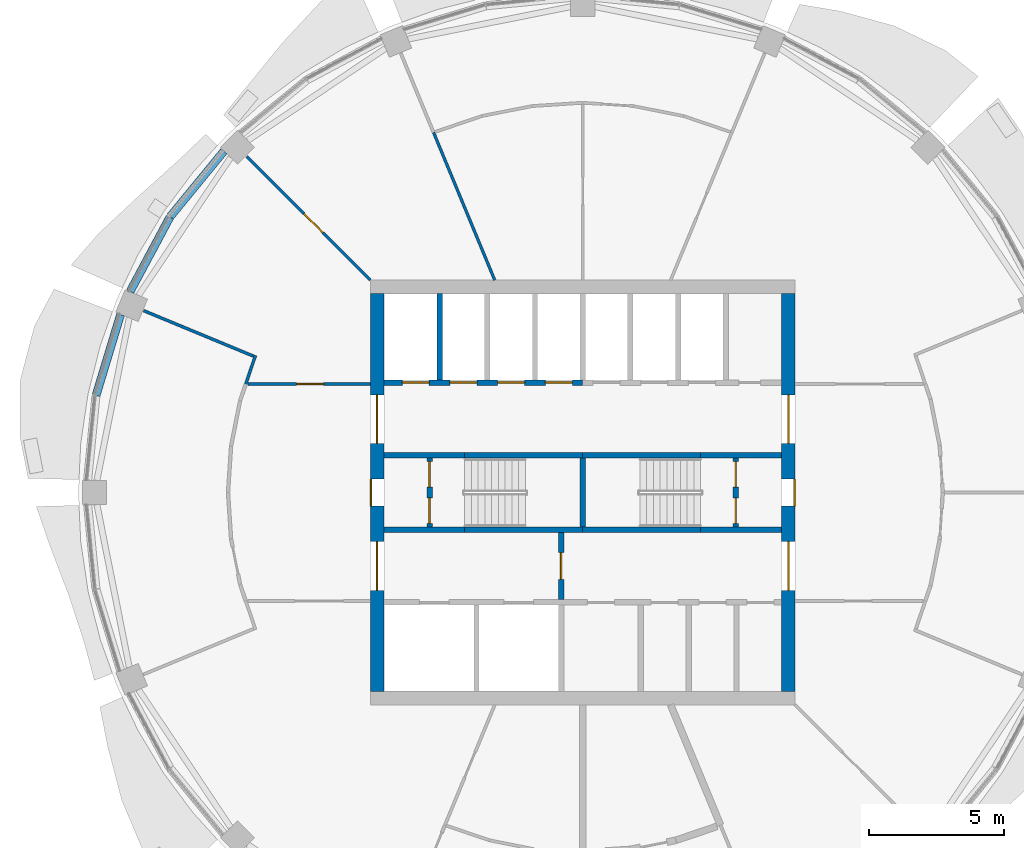
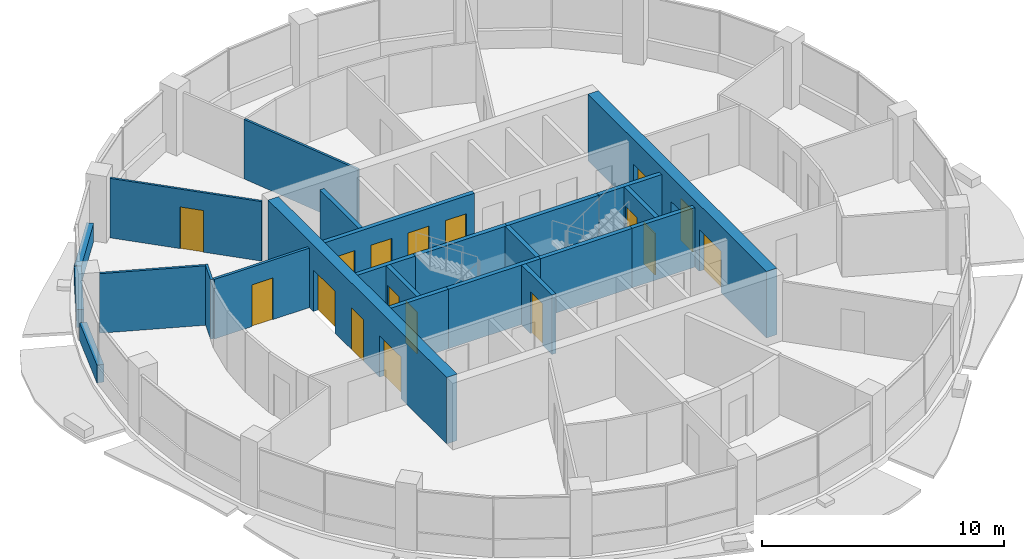
# One storey, part 9 of 15: 24 walls, 17 doors, 17 openings.
"""IFC4 building model written with IfcOpenShell, lengths in metres."""

from ifc_helpers import new_model, si_unit, direction, frame, frame_2d, origin, place, context, subcontext, project, spatial, rectangle, extrude, material, layer, layer_set, type_object, element, fill, save


model = new_model("IFC4")

# Units and contexts
model_context = context("Model", 3, precision=1e-05, world=origin(), true_north=direction((0.0, 1.0)))
body_context = subcontext(model_context, "Body", "Model", "MODEL_VIEW")
ifc_project = project(units=[si_unit("LENGTHUNIT", "METRE"), si_unit("AREAUNIT", "SQUARE_METRE"), si_unit("VOLUMEUNIT", "CUBIC_METRE"), si_unit("PLANEANGLEUNIT", "RADIAN"), si_unit("MASSUNIT", "GRAM", prefix="KILO")], contexts=[model_context])

# Site, building, storey
site_placement = place(None, origin())
site = spatial("IfcSite", under=ifc_project, at=site_placement, CompositionType="ELEMENT")
building_placement = place(site_placement, origin())
building = spatial("IfcBuilding", under=site, at=building_placement, Name="Polderwave Tower", CompositionType="ELEMENT")
storey_placement = place(building_placement, frame((0.0, 0.0, 174.25)))
storey = spatial("IfcBuildingStorey", under=building, at=storey_placement, Name="L46", CompositionType="ELEMENT", Elevation=174.25)

# Wall, openings, doors
ifc_material_1 = material(Name="Concrete C60/75", Category="concrete")
ifc_layer_1 = layer(ifc_material_1, 0.5)
ifc_layer_set_1 = layer_set([ifc_layer_1], Name="CORE WALL 500 C60/75")
wall_type_1 = type_object("IfcWallType", Name="CORE WALL 500 C60/75", PredefinedType="SHEAR", material=ifc_layer_set_1)
wall_1_placement = place(storey_placement, frame((-7.6240234375, -7.3740234375, 0.0), z_axis=(0.0, 0.0, 1.0), x_axis=(0.0, 1.0, 0.0)))
wall_1 = element("IfcWall", 1, at=wall_1_placement, inside=storey, type_object=wall_type_1, Name="ST-CORE-L46-W", PredefinedType="SHEAR", context=body_context, shape_type="SweptSolid", body=[
    extrude(rectangle(XDim=14.748046875, YDim=0.5, at=frame_2d((7.3740234375, 0.0))), origin(), (0.0, 0.0, 1.0), 3.35009765625),
])
opening_1_placement = place(wall_1_placement, frame((6.8740234375, 0.0, 0.0)))
opening_1 = element("IfcOpeningElement", 2, at=opening_1_placement, cuts=wall_1, Name="Opening L46-D20", PredefinedType="OPENING", context=body_context, shape_type="SweptSolid", body=[
    extrude(rectangle(XDim=1.0, YDim=2.10009765625, at=frame_2d((0.5, 1.050048828125))), frame((0.0, 0.260009765625, 0.0), z_axis=(0.0, -1.0, 0.0), x_axis=(1.0, 0.0, 0.0)), (0.0, 0.0, 1.0), 0.52001953125),
])
opening_2_placement = place(wall_1_placement, frame((3.74951171875, 0.0, 0.0)))
opening_2 = element("IfcOpeningElement", 3, at=opening_2_placement, cuts=wall_1, Name="Opening L46-D21", PredefinedType="OPENING", context=body_context, shape_type="SweptSolid", body=[
    extrude(rectangle(XDim=1.800048828125, YDim=2.10009765625, at=frame_2d((0.89990234375, 1.050048828125))), frame((0.0, 0.260009765625, 0.0), z_axis=(0.0, -1.0, 0.0), x_axis=(1.0, 0.0, 0.0)), (0.0, 0.0, 1.0), 0.52001953125),
])
opening_3_placement = place(wall_1_placement, frame((9.198486328125, 0.0, 0.0)))
opening_3 = element("IfcOpeningElement", 4, at=opening_3_placement, cuts=wall_1, Name="Opening L46-D22", PredefinedType="OPENING", context=body_context, shape_type="SweptSolid", body=[
    extrude(rectangle(XDim=1.800048828125, YDim=2.10009765625, at=frame_2d((0.89990234375, 1.050048828125))), frame((0.0, 0.260009765625, 0.0), z_axis=(0.0, -1.0, 0.0), x_axis=(1.0, 0.0, 0.0)), (0.0, 0.0, 1.0), 0.52001953125),
])
ifc_material_2 = material(Name="Steel fire door", Category="steel")
door_type_1 = type_object("IfcDoorType", Name="Lobby entry door pair 1800", OperationType="DOUBLE_DOOR_SINGLE_SWING", PredefinedType="DOOR", material=ifc_material_2)
door_1_placement = place(opening_2_placement, origin())
door_1 = element("IfcDoor", 5, at=door_1_placement, inside=storey, type_object=door_type_1, Name="Fire-fighting lobby entry door", OperationType="DOUBLE_DOOR_SINGLE_SWING", OverallHeight=2.10009765625, OverallWidth=1.800048828125, PredefinedType="DOOR", context=body_context, shape_type="SweptSolid", body=[
    extrude(rectangle(XDim=1.800048828125, YDim=2.10009765625, at=frame_2d((0.89990234375, 1.050048828125))), frame((0.0, 0.02490234375, 0.0), z_axis=(0.0, -1.0, 0.0), x_axis=(1.0, 0.0, 0.0)), (0.0, 0.0, 1.0), 0.050048828125),
])
fill(opening_2, door_1)
door_2_placement = place(opening_3_placement, origin())
door_2 = element("IfcDoor", 6, at=door_2_placement, inside=storey, type_object=door_type_1, Name="North lobby entry door", OperationType="DOUBLE_DOOR_SINGLE_SWING", OverallHeight=2.10009765625, OverallWidth=1.800048828125, PredefinedType="DOOR", context=body_context, shape_type="SweptSolid", body=[
    extrude(rectangle(XDim=1.800048828125, YDim=2.10009765625, at=frame_2d((0.89990234375, 1.050048828125))), frame((0.0, 0.02490234375, 0.0), z_axis=(0.0, -1.0, 0.0), x_axis=(1.0, 0.0, 0.0)), (0.0, 0.0, 1.0), 0.050048828125),
])
fill(opening_3, door_2)
door_type_2 = type_object("IfcDoorType", Name="Stair door 1000", OperationType="NOTDEFINED", PredefinedType="DOOR", material=ifc_material_2)
door_3_placement = place(opening_1_placement, origin())
door_3 = element("IfcDoor", 7, at=door_3_placement, inside=storey, type_object=door_type_2, Name="Stair A entry door", OperationType="SINGLE_SWING_RIGHT", OverallHeight=2.10009765625, OverallWidth=1.0, PredefinedType="DOOR", context=body_context, shape_type="SweptSolid", body=[
    extrude(rectangle(XDim=1.0, YDim=2.10009765625, at=frame_2d((0.5, 1.050048828125))), frame((0.0, 0.25, 0.0), z_axis=(0.0, -1.0, 0.0), x_axis=(1.0, 0.0, 0.0)), (0.0, 0.0, 1.0), 0.050048828125),
])
fill(opening_1, door_3)

wall_2_placement = place(storey_placement, frame((7.6240234375, -7.3740234375, 0.0), z_axis=(0.0, 0.0, 1.0), x_axis=(0.0, 1.0, 0.0)))
wall_2 = element("IfcWall", 8, at=wall_2_placement, inside=storey, type_object=wall_type_1, Name="ST-CORE-L46-E", PredefinedType="SHEAR", context=body_context, shape_type="SweptSolid", body=[
    extrude(rectangle(XDim=14.748046875, YDim=0.5, at=frame_2d((7.3740234375, 0.0))), origin(), (0.0, 0.0, 1.0), 3.35009765625),
])
opening_4_placement = place(wall_2_placement, frame((6.8740234375, 0.0, 0.0)))
opening_4 = element("IfcOpeningElement", 9, at=opening_4_placement, cuts=wall_2, Name="Opening L46-D23", PredefinedType="OPENING", context=body_context, shape_type="SweptSolid", body=[
    extrude(rectangle(XDim=1.0, YDim=2.10009765625, at=frame_2d((0.5, 1.050048828125))), frame((0.0, 0.260009765625, 0.0), z_axis=(0.0, -1.0, 0.0), x_axis=(1.0, 0.0, 0.0)), (0.0, 0.0, 1.0), 0.52001953125),
])
opening_5_placement = place(wall_2_placement, frame((3.74951171875, 0.0, 0.0)))
opening_5 = element("IfcOpeningElement", 10, at=opening_5_placement, cuts=wall_2, Name="Opening L46-D24", PredefinedType="OPENING", context=body_context, shape_type="SweptSolid", body=[
    extrude(rectangle(XDim=1.800048828125, YDim=2.10009765625, at=frame_2d((0.89990234375, 1.050048828125))), frame((0.0, 0.260009765625, 0.0), z_axis=(0.0, -1.0, 0.0), x_axis=(1.0, 0.0, 0.0)), (0.0, 0.0, 1.0), 0.52001953125),
])
opening_6_placement = place(wall_2_placement, frame((9.198486328125, 0.0, 0.0)))
opening_6 = element("IfcOpeningElement", 11, at=opening_6_placement, cuts=wall_2, Name="Opening L46-D25", PredefinedType="OPENING", context=body_context, shape_type="SweptSolid", body=[
    extrude(rectangle(XDim=1.800048828125, YDim=2.10009765625, at=frame_2d((0.89990234375, 1.050048828125))), frame((0.0, 0.260009765625, 0.0), z_axis=(0.0, -1.0, 0.0), x_axis=(1.0, 0.0, 0.0)), (0.0, 0.0, 1.0), 0.52001953125),
])
door_4_placement = place(opening_5_placement, frame((1.800048828125, 0.0, 0.0), z_axis=(0.0, 0.0, 1.0), x_axis=(-1.0, 0.0, 0.0)))
door_4 = element("IfcDoor", 12, at=door_4_placement, inside=storey, type_object=door_type_1, Name="South lobby entry door", OperationType="DOUBLE_DOOR_SINGLE_SWING", OverallHeight=2.10009765625, OverallWidth=1.800048828125, PredefinedType="DOOR", context=body_context, shape_type="SweptSolid", body=[
    extrude(rectangle(XDim=1.800048828125, YDim=2.10009765625, at=frame_2d((0.89990234375, 1.050048828125))), frame((0.0, 0.02490234375, 0.0), z_axis=(0.0, -1.0, 0.0), x_axis=(1.0, 0.0, 0.0)), (0.0, 0.0, 1.0), 0.050048828125),
])
fill(opening_5, door_4)
door_5_placement = place(opening_6_placement, frame((1.800048828125, 0.0, 0.0), z_axis=(0.0, 0.0, 1.0), x_axis=(-1.0, 0.0, 0.0)))
door_5 = element("IfcDoor", 13, at=door_5_placement, inside=storey, type_object=door_type_1, Name="North lobby entry door", OperationType="DOUBLE_DOOR_SINGLE_SWING", OverallHeight=2.10009765625, OverallWidth=1.800048828125, PredefinedType="DOOR", context=body_context, shape_type="SweptSolid", body=[
    extrude(rectangle(XDim=1.800048828125, YDim=2.10009765625, at=frame_2d((0.89990234375, 1.050048828125))), frame((0.0, 0.02490234375, 0.0), z_axis=(0.0, -1.0, 0.0), x_axis=(1.0, 0.0, 0.0)), (0.0, 0.0, 1.0), 0.050048828125),
])
fill(opening_6, door_5)
door_6_placement = place(opening_4_placement, frame((1.0, 0.0, 0.0), z_axis=(0.0, 0.0, 1.0), x_axis=(-1.0, 0.0, 0.0)))
door_6 = element("IfcDoor", 14, at=door_6_placement, inside=storey, type_object=door_type_2, Name="Stair B entry door", OperationType="SINGLE_SWING_LEFT", OverallHeight=2.10009765625, OverallWidth=1.0, PredefinedType="DOOR", context=body_context, shape_type="SweptSolid", body=[
    extrude(rectangle(XDim=1.0, YDim=2.10009765625, at=frame_2d((0.5, 1.050048828125))), frame((0.0, 0.25, 0.0), z_axis=(0.0, -1.0, 0.0), x_axis=(1.0, 0.0, 0.0)), (0.0, 0.0, 1.0), 0.050048828125),
])
fill(opening_4, door_6)

# Walls
ifc_material_3 = material(Name="Concrete C50/60 (board-marked)", Category="concrete")
ifc_layer_2 = layer(ifc_material_3, 0.300048828125)
ifc_layer_set_2 = layer_set([ifc_layer_2], Name="Concrete spandrel upstand C50/60")
wall_type_2 = type_object("IfcWallType", Name="Concrete spandrel upstand C50/60", PredefinedType="SOLIDWALL", material=ifc_layer_set_2)
wall_3_placement = place(storey_placement, frame((-13.306396484375, 12.6513671875, 0.0), z_axis=(0.0, 0.0, 1.0), x_axis=(-0.634198158195, -0.773170547901, 0.0)))
element("IfcWall", 15, at=wall_3_placement, inside=storey, type_object=wall_type_2, Name="Spandrel L46 7a", PredefinedType="SOLIDWALL", context=body_context, shape_type="SweptSolid", body=[
    extrude(rectangle(XDim=3.126953125, YDim=0.300048828125, at=frame_2d((1.5634765625, 0.0))), origin(), (0.0, 0.0, 1.0), 0.89990234375),
])
wall_4_placement = place(storey_placement, frame((-15.30615234375, 10.208740234375, 0.0), z_axis=(0.0, 0.0, 1.0), x_axis=(-0.47120441036, -0.882024038027, 0.0)))
element("IfcWall", 16, at=wall_4_placement, inside=storey, type_object=wall_type_2, Name="Spandrel L46 7b", PredefinedType="SOLIDWALL", context=body_context, shape_type="SweptSolid", body=[
    extrude(rectangle(XDim=3.125244140625, YDim=0.300048828125, at=frame_2d((1.5625, 0.0))), origin(), (0.0, 0.0, 1.0), 0.89990234375),
])
wall_5_placement = place(storey_placement, frame((-17.134521484375, 6.595703125, 0.0), z_axis=(0.0, 0.0, 1.0), x_axis=(-0.290083245834, -0.957001416136, 0.0)))
element("IfcWall", 17, at=wall_5_placement, inside=storey, type_object=wall_type_2, Name="Spandrel L46 8a", PredefinedType="SOLIDWALL", context=body_context, shape_type="SweptSolid", body=[
    extrude(rectangle(XDim=3.126708984375, YDim=0.300048828125, at=frame_2d((1.5634765625, 0.0))), origin(), (0.0, 0.0, 1.0), 0.89990234375),
])

# Wall, opening, door
ifc_material_4 = material(Name="Gypsum board partition")
ifc_layer_3 = layer(ifc_material_4, 0.199951171875)
ifc_layer_set_3 = layer_set([ifc_layer_3], Name="Core room partition 200")
wall_type_3 = type_object("IfcWallType", Name="Core room partition 200", PredefinedType="PARTITIONING", material=ifc_layer_set_3)
wall_6_placement = place(storey_placement, frame((-0.800048828125, -3.97412109375, 0.0), z_axis=(0.0, 0.0, 1.0), x_axis=(0.0, 1.0, 0.0)))
wall_6 = element("IfcWall", 18, at=wall_6_placement, inside=storey, type_object=wall_type_3, Name="L46 fire-fighting lobby wall", PredefinedType="PARTITIONING", context=body_context, shape_type="SweptSolid", body=[
    extrude(rectangle(XDim=2.4990234375, YDim=0.199951171875, at=frame_2d((1.24951171875, 0.0))), origin(), (0.0, 0.0, 1.0), 3.0),
])
opening_7_placement = place(wall_6_placement, frame((0.74951171875, 0.0, 0.0)))
opening_7 = element("IfcOpeningElement", 19, at=opening_7_placement, cuts=wall_6, Name="Opening L46-D14", PredefinedType="OPENING", context=body_context, shape_type="SweptSolid", body=[
    extrude(rectangle(XDim=1.0, YDim=2.10009765625, at=frame_2d((0.5, 1.050048828125))), frame((0.0, 0.10986328125, 0.0), z_axis=(0.0, -1.0, 0.0), x_axis=(1.0, 0.0, 0.0)), (0.0, 0.0, 1.0), 0.219970703125),
])
door_type_3 = type_object("IfcDoorType", Name="Lobby fire door 1000", OperationType="NOTDEFINED", PredefinedType="DOOR", material=ifc_material_2)
door_7_placement = place(opening_7_placement, frame((1.0, 0.0, 0.0), z_axis=(0.0, 0.0, 1.0), x_axis=(-1.0, 0.0, 0.0)))
door_7 = element("IfcDoor", 20, at=door_7_placement, inside=storey, type_object=door_type_3, Name="Fire-fighting lobby door", OperationType="SINGLE_SWING_LEFT", OverallHeight=2.10009765625, OverallWidth=1.0, PredefinedType="DOOR", context=body_context, shape_type="SweptSolid", body=[
    extrude(rectangle(XDim=1.0, YDim=2.10009765625, at=frame_2d((0.5, 1.050048828125))), frame((0.0, 0.02490234375, 0.0), z_axis=(0.0, -1.0, 0.0), x_axis=(1.0, 0.0, 0.0)), (0.0, 0.0, 1.0), 0.050048828125),
])
fill(opening_7, door_7)

# Wall, openings, doors
wall_7_placement = place(storey_placement, frame((-5.674072265625, -1.27490234375, 0.0), z_axis=(0.0, 0.0, 1.0), x_axis=(0.0, 1.0, 0.0)))
wall_7 = element("IfcWall", 21, at=wall_7_placement, inside=storey, type_object=wall_type_3, Name="L46 smoke lobby wall A", PredefinedType="PARTITIONING", context=body_context, shape_type="SweptSolid", body=[
    extrude(rectangle(XDim=2.5498046875, YDim=0.199951171875, at=frame_2d((1.27490234375, 0.0))), origin(), (0.0, 0.0, 1.0), 3.0),
])
opening_8_placement = place(wall_7_placement, frame((0.125, 0.0, 0.0)))
opening_8 = element("IfcOpeningElement", 22, at=opening_8_placement, cuts=wall_7, Name="Opening L46-D10", PredefinedType="OPENING", context=body_context, shape_type="SweptSolid", body=[
    extrude(rectangle(XDim=0.949951171875, YDim=2.10009765625, at=frame_2d((0.47509765625, 1.050048828125))), frame((0.0, 0.10986328125, 0.0), z_axis=(0.0, -1.0, 0.0), x_axis=(1.0, 0.0, 0.0)), (0.0, 0.0, 1.0), 0.219970703125),
])
opening_9_placement = place(wall_7_placement, frame((1.47509765625, 0.0, 0.0)))
opening_9 = element("IfcOpeningElement", 23, at=opening_9_placement, cuts=wall_7, Name="Opening L46-D11", PredefinedType="OPENING", context=body_context, shape_type="SweptSolid", body=[
    extrude(rectangle(XDim=0.949951171875, YDim=2.10009765625, at=frame_2d((0.47509765625, 1.050048828125))), frame((0.0, 0.10986328125, 0.0), z_axis=(0.0, -1.0, 0.0), x_axis=(1.0, 0.0, 0.0)), (0.0, 0.0, 1.0), 0.219970703125),
])
door_type_4 = type_object("IfcDoorType", Name="Smoke lobby door 950", OperationType="NOTDEFINED", PredefinedType="DOOR", material=ifc_material_2)
door_8_placement = place(opening_8_placement, origin())
door_8 = element("IfcDoor", 24, at=door_8_placement, inside=storey, type_object=door_type_4, Name="Stair A smoke lobby inner door", OperationType="SINGLE_SWING_LEFT", OverallHeight=2.10009765625, OverallWidth=0.949951171875, PredefinedType="DOOR", context=body_context, shape_type="SweptSolid", body=[
    extrude(rectangle(XDim=0.949951171875, YDim=2.10009765625, at=frame_2d((0.47509765625, 1.050048828125))), frame((0.0, 0.02490234375, 0.0), z_axis=(0.0, -1.0, 0.0), x_axis=(1.0, 0.0, 0.0)), (0.0, 0.0, 1.0), 0.050048828125),
])
fill(opening_8, door_8)
door_9_placement = place(opening_9_placement, origin())
door_9 = element("IfcDoor", 25, at=door_9_placement, inside=storey, type_object=door_type_4, Name="Stair A smoke lobby inner door", OperationType="SINGLE_SWING_RIGHT", OverallHeight=2.10009765625, OverallWidth=0.949951171875, PredefinedType="DOOR", context=body_context, shape_type="SweptSolid", body=[
    extrude(rectangle(XDim=0.949951171875, YDim=2.10009765625, at=frame_2d((0.47509765625, 1.050048828125))), frame((0.0, 0.02490234375, 0.0), z_axis=(0.0, -1.0, 0.0), x_axis=(1.0, 0.0, 0.0)), (0.0, 0.0, 1.0), 0.050048828125),
])
fill(opening_9, door_9)

wall_8_placement = place(storey_placement, frame((5.674072265625, -1.27490234375, 0.0), z_axis=(0.0, 0.0, 1.0), x_axis=(0.0, 1.0, 0.0)))
wall_8 = element("IfcWall", 26, at=wall_8_placement, inside=storey, type_object=wall_type_3, Name="L46 smoke lobby wall B", PredefinedType="PARTITIONING", context=body_context, shape_type="SweptSolid", body=[
    extrude(rectangle(XDim=2.5498046875, YDim=0.199951171875, at=frame_2d((1.27490234375, 0.0))), origin(), (0.0, 0.0, 1.0), 3.0),
])
opening_10_placement = place(wall_8_placement, frame((0.125, 0.0, 0.0)))
opening_10 = element("IfcOpeningElement", 27, at=opening_10_placement, cuts=wall_8, Name="Opening L46-D12", PredefinedType="OPENING", context=body_context, shape_type="SweptSolid", body=[
    extrude(rectangle(XDim=0.949951171875, YDim=2.10009765625, at=frame_2d((0.47509765625, 1.050048828125))), frame((0.0, 0.10986328125, 0.0), z_axis=(0.0, -1.0, 0.0), x_axis=(1.0, 0.0, 0.0)), (0.0, 0.0, 1.0), 0.219970703125),
])
opening_11_placement = place(wall_8_placement, frame((1.47509765625, 0.0, 0.0)))
opening_11 = element("IfcOpeningElement", 28, at=opening_11_placement, cuts=wall_8, Name="Opening L46-D13", PredefinedType="OPENING", context=body_context, shape_type="SweptSolid", body=[
    extrude(rectangle(XDim=0.949951171875, YDim=2.10009765625, at=frame_2d((0.47509765625, 1.050048828125))), frame((0.0, 0.10986328125, 0.0), z_axis=(0.0, -1.0, 0.0), x_axis=(1.0, 0.0, 0.0)), (0.0, 0.0, 1.0), 0.219970703125),
])
door_10_placement = place(opening_10_placement, frame((0.949951171875, 0.0, 0.0), z_axis=(0.0, 0.0, 1.0), x_axis=(-1.0, 0.0, 0.0)))
door_10 = element("IfcDoor", 29, at=door_10_placement, inside=storey, type_object=door_type_4, Name="Stair B smoke lobby inner door", OperationType="SINGLE_SWING_RIGHT", OverallHeight=2.10009765625, OverallWidth=0.949951171875, PredefinedType="DOOR", context=body_context, shape_type="SweptSolid", body=[
    extrude(rectangle(XDim=0.949951171875, YDim=2.10009765625, at=frame_2d((0.47509765625, 1.050048828125))), frame((0.0, 0.02490234375, 0.0), z_axis=(0.0, -1.0, 0.0), x_axis=(1.0, 0.0, 0.0)), (0.0, 0.0, 1.0), 0.050048828125),
])
fill(opening_10, door_10)
door_11_placement = place(opening_11_placement, frame((0.949951171875, 0.0, 0.0), z_axis=(0.0, 0.0, 1.0), x_axis=(-1.0, 0.0, 0.0)))
door_11 = element("IfcDoor", 30, at=door_11_placement, inside=storey, type_object=door_type_4, Name="Stair B smoke lobby inner door", OperationType="SINGLE_SWING_LEFT", OverallHeight=2.10009765625, OverallWidth=0.949951171875, PredefinedType="DOOR", context=body_context, shape_type="SweptSolid", body=[
    extrude(rectangle(XDim=0.949951171875, YDim=2.10009765625, at=frame_2d((0.47509765625, 1.050048828125))), frame((0.0, 0.02490234375, 0.0), z_axis=(0.0, -1.0, 0.0), x_axis=(1.0, 0.0, 0.0)), (0.0, 0.0, 1.0), 0.050048828125),
])
fill(opening_11, door_11)

ifc_material_5 = material(Name="Concrete C50/60", Category="concrete")
ifc_layer_4 = layer(ifc_material_5, 0.199951171875)
ifc_layer_set_4 = layer_set([ifc_layer_4], Name="Core web wall 200")
wall_type_4 = type_object("IfcWallType", Name="Core web wall 200", PredefinedType="SHEAR", material=ifc_layer_set_4)
wall_9_placement = place(storey_placement, frame((-7.3740234375, 4.073974609375, 0.0), z_axis=(0.0, 0.0, 1.0), x_axis=(1.0, 0.0, 0.0)))
wall_9 = element("IfcWall", 31, at=wall_9_placement, inside=storey, type_object=wall_type_4, Name="L46 north front wall 1", PredefinedType="SHEAR", context=body_context, shape_type="SweptSolid", body=[
    extrude(rectangle(XDim=7.3740234375, YDim=0.199951171875, at=frame_2d((3.68701171875, 0.0))), origin(), (0.0, 0.0, 1.0), 3.0),
])
opening_12_placement = place(wall_9_placement, frame((0.68408203125, 0.0, 0.0)))
opening_12 = element("IfcOpeningElement", 32, at=opening_12_placement, cuts=wall_9, Name="Opening L46-D03", PredefinedType="OPENING", context=body_context, shape_type="SweptSolid", body=[
    extrude(rectangle(XDim=1.0, YDim=2.10009765625, at=frame_2d((0.5, 1.050048828125))), frame((0.0, 0.10986328125, 0.0), z_axis=(0.0, -1.0, 0.0), x_axis=(1.0, 0.0, 0.0)), (0.0, 0.0, 1.0), 0.219970703125),
])
opening_13_placement = place(wall_9_placement, frame((2.45263671875, 0.0, 0.0)))
opening_13 = element("IfcOpeningElement", 33, at=opening_13_placement, cuts=wall_9, Name="Opening L46-D04", PredefinedType="OPENING", context=body_context, shape_type="SweptSolid", body=[
    extrude(rectangle(XDim=1.0, YDim=2.10009765625, at=frame_2d((0.5, 1.050048828125))), frame((0.0, 0.10986328125, 0.0), z_axis=(0.0, -1.0, 0.0), x_axis=(1.0, 0.0, 0.0)), (0.0, 0.0, 1.0), 0.219970703125),
])
opening_14_placement = place(wall_9_placement, frame((4.22119140625, 0.0, 0.0)))
opening_14 = element("IfcOpeningElement", 34, at=opening_14_placement, cuts=wall_9, Name="Opening L46-D05", PredefinedType="OPENING", context=body_context, shape_type="SweptSolid", body=[
    extrude(rectangle(XDim=1.0, YDim=2.10009765625, at=frame_2d((0.5, 1.050048828125))), frame((0.0, 0.10986328125, 0.0), z_axis=(0.0, -1.0, 0.0), x_axis=(1.0, 0.0, 0.0)), (0.0, 0.0, 1.0), 0.219970703125),
])
opening_15_placement = place(wall_9_placement, frame((5.98974609375, 0.0, 0.0)))
opening_15 = element("IfcOpeningElement", 35, at=opening_15_placement, cuts=wall_9, Name="Opening L46-D06", PredefinedType="OPENING", context=body_context, shape_type="SweptSolid", body=[
    extrude(rectangle(XDim=1.0, YDim=2.10009765625, at=frame_2d((0.5, 1.050048828125))), frame((0.0, 0.10986328125, 0.0), z_axis=(0.0, -1.0, 0.0), x_axis=(1.0, 0.0, 0.0)), (0.0, 0.0, 1.0), 0.219970703125),
])
ifc_material_6 = material(Name="Stainless steel", Category="steel")
door_type_5 = type_object("IfcDoorType", Name="Lift landing door 1000", OperationType="DOUBLE_DOOR_SLIDING", PredefinedType="DOOR", material=ifc_material_6)
door_12_placement = place(opening_12_placement, frame((1.0, 0.0, 0.0), z_axis=(0.0, 0.0, 1.0), x_axis=(-1.0, 0.0, 0.0)))
door_12 = element("IfcDoor", 36, at=door_12_placement, inside=storey, type_object=door_type_5, Name="Lift HL1 landing door", OperationType="DOUBLE_DOOR_SLIDING", OverallHeight=2.10009765625, OverallWidth=1.0, PredefinedType="DOOR", context=body_context, shape_type="SweptSolid", body=[
    extrude(rectangle(XDim=1.0, YDim=2.10009765625, at=frame_2d((0.5, 1.050048828125))), frame((0.0, 0.02490234375, 0.0), z_axis=(0.0, -1.0, 0.0), x_axis=(1.0, 0.0, 0.0)), (0.0, 0.0, 1.0), 0.050048828125),
])
fill(opening_12, door_12)
door_13_placement = place(opening_13_placement, frame((1.0, 0.0, 0.0), z_axis=(0.0, 0.0, 1.0), x_axis=(-1.0, 0.0, 0.0)))
door_13 = element("IfcDoor", 37, at=door_13_placement, inside=storey, type_object=door_type_5, Name="Lift HL2 landing door", OperationType="DOUBLE_DOOR_SLIDING", OverallHeight=2.10009765625, OverallWidth=1.0, PredefinedType="DOOR", context=body_context, shape_type="SweptSolid", body=[
    extrude(rectangle(XDim=1.0, YDim=2.10009765625, at=frame_2d((0.5, 1.050048828125))), frame((0.0, 0.02490234375, 0.0), z_axis=(0.0, -1.0, 0.0), x_axis=(1.0, 0.0, 0.0)), (0.0, 0.0, 1.0), 0.050048828125),
])
fill(opening_13, door_13)
door_14_placement = place(opening_14_placement, frame((1.0, 0.0, 0.0), z_axis=(0.0, 0.0, 1.0), x_axis=(-1.0, 0.0, 0.0)))
door_14 = element("IfcDoor", 38, at=door_14_placement, inside=storey, type_object=door_type_5, Name="Lift HL3 landing door", OperationType="DOUBLE_DOOR_SLIDING", OverallHeight=2.10009765625, OverallWidth=1.0, PredefinedType="DOOR", context=body_context, shape_type="SweptSolid", body=[
    extrude(rectangle(XDim=1.0, YDim=2.10009765625, at=frame_2d((0.5, 1.050048828125))), frame((0.0, 0.02490234375, 0.0), z_axis=(0.0, -1.0, 0.0), x_axis=(1.0, 0.0, 0.0)), (0.0, 0.0, 1.0), 0.050048828125),
])
fill(opening_14, door_14)
door_15_placement = place(opening_15_placement, frame((1.0, 0.0, 0.0), z_axis=(0.0, 0.0, 1.0), x_axis=(-1.0, 0.0, 0.0)))
door_15 = element("IfcDoor", 39, at=door_15_placement, inside=storey, type_object=door_type_5, Name="Lift HL4 landing door", OperationType="DOUBLE_DOOR_SLIDING", OverallHeight=2.10009765625, OverallWidth=1.0, PredefinedType="DOOR", context=body_context, shape_type="SweptSolid", body=[
    extrude(rectangle(XDim=1.0, YDim=2.10009765625, at=frame_2d((0.5, 1.050048828125))), frame((0.0, 0.02490234375, 0.0), z_axis=(0.0, -1.0, 0.0), x_axis=(1.0, 0.0, 0.0)), (0.0, 0.0, 1.0), 0.050048828125),
])
fill(opening_15, door_15)

# Walls
wall_10_placement = place(storey_placement, frame((-7.3740234375, -1.375, 0.0), z_axis=(0.0, 0.0, 1.0), x_axis=(1.0, 0.0, 0.0)))
element("IfcWall", 40, at=wall_10_placement, inside=storey, type_object=wall_type_4, Name="L46 south stair wall 1", PredefinedType="SHEAR", context=body_context, shape_type="SweptSolid", body=[
    extrude(rectangle(XDim=3.0, YDim=0.199951171875, at=frame_2d((1.5, 0.0))), origin(), (0.0, 0.0, 1.0), 3.0),
])
for number, where, z_axis, x_axis, name in (
    (41, (-4.3740234375, -1.375, 0.0), (0.0, 0.0, 1.0), (1.0, 0.0, 0.0), "L46 south stair wall 2"),
    (42, (0.0, -1.375, 0.0), (0.0, 0.0, 1.0), (1.0, 0.0, 0.0), "L46 south stair wall 3"),
):
    element("IfcWall", number, at=place(storey_placement, frame(where, z_axis=z_axis, x_axis=x_axis)), inside=storey, type_object=wall_type_4, Name=name, PredefinedType="SHEAR", context=body_context, shape_type="SweptSolid", body=[
        extrude(rectangle(XDim=4.3740234375, YDim=0.199951171875, at=frame_2d((2.18701171875, 0.0))), origin(), (0.0, 0.0, 1.0), 3.0),
    ])
for number, where, z_axis, x_axis, name in (
    (43, (4.3740234375, -1.375, 0.0), (0.0, 0.0, 1.0), (1.0, 0.0, 0.0), "L46 south stair wall 4"),
    (44, (-7.3740234375, 1.375, 0.0), (0.0, 0.0, 1.0), (1.0, 0.0, 0.0), "L46 north stair wall 1"),
):
    element("IfcWall", number, at=place(storey_placement, frame(where, z_axis=z_axis, x_axis=x_axis)), inside=storey, type_object=wall_type_4, Name=name, PredefinedType="SHEAR", context=body_context, shape_type="SweptSolid", body=[
        extrude(rectangle(XDim=3.0, YDim=0.199951171875, at=frame_2d((1.5, 0.0))), origin(), (0.0, 0.0, 1.0), 3.0),
    ])
for number, where, z_axis, x_axis, name in (
    (45, (-4.3740234375, 1.375, 0.0), (0.0, 0.0, 1.0), (1.0, 0.0, 0.0), "L46 north stair wall 2"),
    (46, (0.0, 1.375, 0.0), (0.0, 0.0, 1.0), (1.0, 0.0, 0.0), "L46 north stair wall 3"),
):
    element("IfcWall", number, at=place(storey_placement, frame(where, z_axis=z_axis, x_axis=x_axis)), inside=storey, type_object=wall_type_4, Name=name, PredefinedType="SHEAR", context=body_context, shape_type="SweptSolid", body=[
        extrude(rectangle(XDim=4.3740234375, YDim=0.199951171875, at=frame_2d((2.18701171875, 0.0))), origin(), (0.0, 0.0, 1.0), 3.0),
    ])
wall_11_placement = place(storey_placement, frame((4.3740234375, 1.375, 0.0), z_axis=(0.0, 0.0, 1.0), x_axis=(1.0, 0.0, 0.0)))
element("IfcWall", 47, at=wall_11_placement, inside=storey, type_object=wall_type_4, Name="L46 north stair wall 4", PredefinedType="SHEAR", context=body_context, shape_type="SweptSolid", body=[
    extrude(rectangle(XDim=3.0, YDim=0.199951171875, at=frame_2d((1.5, 0.0))), origin(), (0.0, 0.0, 1.0), 3.0),
])
wall_12_placement = place(storey_placement, frame((0.0, -1.27490234375, 0.0), z_axis=(0.0, 0.0, 1.0), x_axis=(0.0, 1.0, 0.0)))
element("IfcWall", 48, at=wall_12_placement, inside=storey, type_object=wall_type_4, Name="L46 wall between the stairs", PredefinedType="SHEAR", context=body_context, shape_type="SweptSolid", body=[
    extrude(rectangle(XDim=2.5498046875, YDim=0.199951171875, at=frame_2d((1.27490234375, 0.0))), origin(), (0.0, 0.0, 1.0), 3.0),
])

# Wall, opening, door
ifc_material_7 = material(Name="Fire-resisting board on steel studs", Category="steel")
ifc_layer_5 = layer(ifc_material_7, 0.125)
ifc_layer_set_5 = layer_set([ifc_layer_5], Name="Corridor wall 125 mm EI 60")
wall_type_5 = type_object("IfcWallType", Name="Corridor wall 125 mm EI 60", PredefinedType="PARTITIONING", material=ifc_layer_set_5)
wall_13_placement = place(storey_placement, frame((-12.40380859375, 4.0244140625, 0.0), z_axis=(0.0, 0.0, 1.0), x_axis=(1.0, 0.0, 0.0)))
wall_13 = element("IfcWall", 49, at=wall_13_placement, inside=storey, type_object=wall_type_5, Name="IN-L46-W009", PredefinedType="PARTITIONING", context=body_context, shape_type="SweptSolid", body=[
    extrude(rectangle(XDim=4.52978515625, YDim=0.125, at=frame_2d((2.264892578125, 0.0))), origin(), (0.0, 0.0, 1.0), 3.0),
])
opening_16_placement = place(wall_13_placement, frame((1.800048828125, 0.0, 0.0)))
opening_16 = element("IfcOpeningElement", 50, at=opening_16_placement, cuts=wall_13, Name="Opening L46-D54", PredefinedType="OPENING", context=body_context, shape_type="SweptSolid", body=[
    extrude(rectangle(XDim=1.0, YDim=2.10009765625, at=frame_2d((0.5, 1.050048828125))), frame((0.0, 0.072509765625, 0.0), z_axis=(0.0, -1.0, 0.0), x_axis=(1.0, 0.0, 0.0)), (0.0, 0.0, 1.0), 0.14501953125),
])
ifc_material_8 = material(Name="Timber fire door leaf", Category="wood")
door_type_6 = type_object("IfcDoorType", Name="Fire door FD30S 1000 x 2100", OperationType="NOTDEFINED", PredefinedType="DOOR", material=ifc_material_8)
door_16_placement = place(opening_16_placement, origin())
door_16 = element("IfcDoor", 51, at=door_16_placement, inside=storey, type_object=door_type_6, Name="Door L46-D54", OperationType="SINGLE_SWING_RIGHT", OverallHeight=2.10009765625, OverallWidth=1.0, PredefinedType="DOOR", context=body_context, shape_type="SweptSolid", body=[
    extrude(rectangle(XDim=1.0, YDim=2.10009765625, at=frame_2d((0.5, 1.050048828125))), frame((0.0, 0.02490234375, 0.0), z_axis=(0.0, -1.0, 0.0), x_axis=(1.0, 0.0, 0.0)), (0.0, 0.0, 1.0), 0.050048828125),
])
fill(opening_16, door_16)

ifc_material_9 = material(Name="Plasterboard on steel studs", Category="steel")
ifc_layer_6 = layer(ifc_material_9, 0.10009765625)
ifc_layer_set_6 = layer_set([ifc_layer_6], Name="Partition 100 mm plasterboard on steel studs")
wall_type_6 = type_object("IfcWallType", Name="Partition 100 mm plasterboard on steel studs", PredefinedType="PARTITIONING", material=ifc_layer_set_6)
wall_14_placement = place(storey_placement, frame((-12.459228515625, 12.459228515625, 0.0), z_axis=(0.0, 0.0, 1.0), x_axis=(0.707106781187, -0.707106781187, 0.0)))
wall_14 = element("IfcWall", 52, at=wall_14_placement, inside=storey, type_object=wall_type_6, Name="IN-L46-W031", PredefinedType="PARTITIONING", context=body_context, shape_type="SweptSolid", body=[
    extrude(rectangle(XDim=6.484375, YDim=0.10009765625, at=frame_2d((3.2421875, 0.0))), origin(), (0.0, 0.0, 1.0), 3.0),
])
opening_17_placement = place(wall_14_placement, frame((3.0, 0.0, 0.0)))
opening_17 = element("IfcOpeningElement", 53, at=opening_17_placement, cuts=wall_14, Name="Opening L46-D60", PredefinedType="OPENING", context=body_context, shape_type="SweptSolid", body=[
    extrude(rectangle(XDim=1.0, YDim=2.10009765625, at=frame_2d((0.5, 1.050048828125))), frame((0.0, 0.06005859375, 0.0), z_axis=(0.0, -1.0, 0.0), x_axis=(1.0, 0.0, 0.0)), (0.0, 0.0, 1.0), 0.1201171875),
])
ifc_material_10 = material(Name="Timber veneer door leaf", Category="wood")
door_type_7 = type_object("IfcDoorType", Name="Single door 1000 x 2100", OperationType="NOTDEFINED", PredefinedType="DOOR", material=ifc_material_10)
door_17_placement = place(opening_17_placement, origin())
door_17 = element("IfcDoor", 54, at=door_17_placement, inside=storey, type_object=door_type_7, Name="Door L46-D60", OperationType="SINGLE_SWING_RIGHT", OverallHeight=2.10009765625, OverallWidth=1.0, PredefinedType="DOOR", context=body_context, shape_type="SweptSolid", body=[
    extrude(rectangle(XDim=1.0, YDim=2.10009765625, at=frame_2d((0.5, 1.050048828125))), frame((0.0, 0.02490234375, 0.0), z_axis=(0.0, -1.0, 0.0), x_axis=(1.0, 0.0, 0.0)), (0.0, 0.0, 1.0), 0.050048828125),
])
fill(opening_17, door_17)

# Walls
ifc_material_11 = material(Name="Moisture-resistant board on steel studs, tiled", Category="steel")
ifc_layer_7 = layer(ifc_material_11, 0.10498046875)
ifc_layer_set_7 = layer_set([ifc_layer_7], Name="Partition 105 mm wet room board and tile")
wall_type_7 = type_object("IfcWallType", Name="Partition 105 mm wet room board and tile", PredefinedType="PARTITIONING", material=ifc_layer_set_7)
wall_15_placement = place(storey_placement, frame((-3.261474609375, 7.8740234375, 0.0), z_axis=(0.0, 0.0, 1.0), x_axis=(-0.382690105068, 0.923876768559, 0.0)))
element("IfcWall", 55, at=wall_15_placement, inside=storey, type_object=wall_type_7, Name="IN-L46-W030", PredefinedType="PARTITIONING", context=body_context, shape_type="SweptSolid", body=[
    extrude(rectangle(XDim=5.92724609375, YDim=0.10498046875, at=frame_2d((2.963623046875, 0.0))), origin(), (0.0, 0.0, 1.0), 3.0),
])
ifc_material_12 = material(Name="Acoustic double plasterboard on steel studs", Category="steel")
ifc_layer_8 = layer(ifc_material_12, 0.110107421875)
ifc_layer_set_8 = layer_set([ifc_layer_8], Name="Partition 110 mm acoustic double board")
wall_type_8 = type_object("IfcWallType", Name="Partition 110 mm acoustic double board", PredefinedType="PARTITIONING", material=ifc_layer_set_8)
wall_16_placement = place(storey_placement, frame((-12.4912109375, 4.0244140625, 0.0), z_axis=(0.0, 0.0, 1.0), x_axis=(0.321456988234, 0.946924181081, 0.0)))
element("IfcWall", 56, at=wall_16_placement, inside=storey, type_object=wall_type_8, Name="IN-L46-W032", PredefinedType="PARTITIONING", context=body_context, shape_type="SweptSolid", body=[
    extrude(rectangle(XDim=1.119384765625, YDim=0.110107421875, at=frame_2d((0.5595703125, 0.0))), origin(), (0.0, 0.0, 1.0), 3.0),
])
wall_17_placement = place(storey_placement, frame((-12.203369140625, 5.0546875, 0.0), z_axis=(0.0, 0.0, 1.0), x_axis=(-0.923869102729, 0.382708611117, 0.0)))
element("IfcWall", 57, at=wall_17_placement, inside=storey, type_object=wall_type_8, Name="IN-L46-W033", PredefinedType="PARTITIONING", context=body_context, shape_type="SweptSolid", body=[
    extrude(rectangle(XDim=4.411376953125, YDim=0.110107421875, at=frame_2d((2.20556640625, 0.0))), origin(), (0.0, 0.0, 1.0), 3.0),
])
ifc_material_13 = material(Name="Gypsum shaft wall system")
ifc_layer_9 = layer(ifc_material_13, 0.199951171875)
ifc_layer_set_9 = layer_set([ifc_layer_9], Name="Shaft wall 200")
wall_type_9 = type_object("IfcWallType", Name="Shaft wall 200", PredefinedType="PARTITIONING", material=ifc_layer_set_9)
wall_18_placement = place(storey_placement, frame((-5.305419921875, 4.174072265625, 0.0), z_axis=(0.0, 0.0, 1.0), x_axis=(0.0, 1.0, 0.0)))
element("IfcWall", 58, at=wall_18_placement, inside=storey, type_object=wall_type_9, Name="L46 lift shaft wall N1", PredefinedType="PARTITIONING", context=body_context, shape_type="SweptSolid", body=[
    extrude(rectangle(XDim=3.199951171875, YDim=0.199951171875, at=frame_2d((1.60009765625, 0.0))), origin(), (0.0, 0.0, 1.0), 3.0),
])

save(model, "model.ifc")
